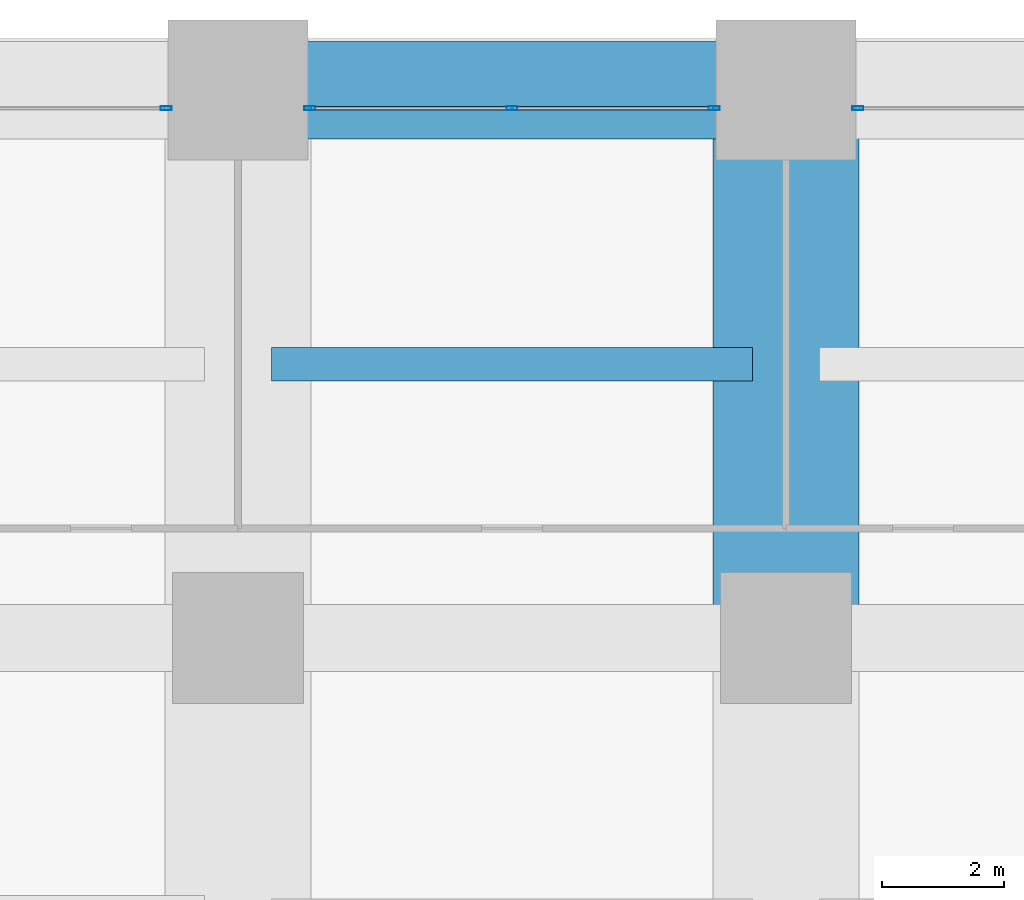
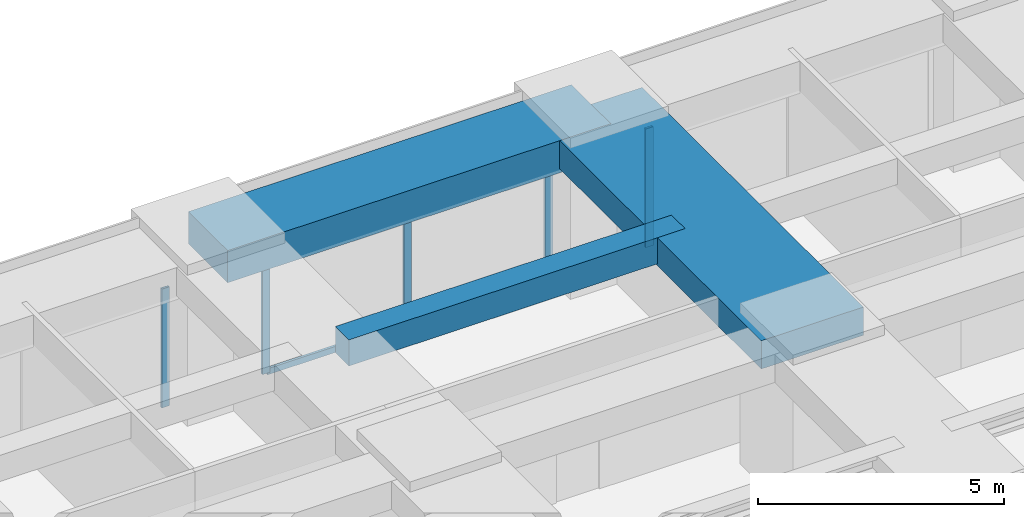
# One storey, part 29 of 43: 6 members, 3 beams, 3 elements without a shape of their own.
"""IFC4 building model written with IfcOpenShell, lengths in metres."""

import ifcopenshell
import ifcopenshell.guid

model = None  # the IFC model being written
_history = None  # IfcOwnerHistory: only IFC2X3 demands one
_inside = {}  # id of a spatial element -> (the spatial element, [elements in it])
_under = {}  # id of a project, library or spatial element -> (it, [spatial elements below it])
_declared = {}  # id of a project -> (the project, [libraries it declares])
_typed = {}  # id of a type object -> (the type object, [elements of that type])
_made_of = {}  # id of a material, layer set ... -> (it, [elements and type objects made of it])


def new_model(schema):
    """Start an empty IFC model of exactly this schema.

    Asked for "IFC4X3", IfcOpenShell would pick the latest addendum, in which some entities
    have other attributes; the version numbers below select the first issue.
    IFC2X3 requires an IfcOwnerHistory on every rooted entity: one is made here for all.
    """
    global model, _history
    if schema == "IFC4X3":
        model = ifcopenshell.file(schema_version=(4, 3, 0, 0))
    else:
        model = ifcopenshell.file(schema=schema)
    _inside.clear()
    _under.clear()
    _declared.clear()
    _typed.clear()
    _made_of.clear()
    _history = None
    if model.schema == "IFC2X3":
        org = make("IfcOrganization", Name="unknown")
        user = make(
            "IfcPersonAndOrganization",
            ThePerson=make("IfcPerson", FamilyName="unknown"),
            TheOrganization=org,
        )
        app = make(
            "IfcApplication",
            ApplicationDeveloper=org,
            Version="unknown",
            ApplicationFullName="unknown",
            ApplicationIdentifier="unknown",
        )
        _history = make(
            "IfcOwnerHistory",
            OwningUser=user,
            OwningApplication=app,
            ChangeAction="ADDED",
            CreationDate=0,
        )
    return model


def make(cls, **values):
    """One entity of the class cls with the attributes given. An attribute that is None is left unset."""
    return model.create_entity(
        cls, **{name: value for name, value in values.items() if value is not None}
    )


def rooted(cls, **values):
    """An entity with a GlobalId (a new one), such as an element, a storey or a relation."""
    return make(cls, GlobalId=ifcopenshell.guid.new(), OwnerHistory=_history, **values)


def si_unit(unit_type, name, prefix=None):
    """IfcSIUnit, for example si_unit("LENGTHUNIT", "METRE", prefix="MILLI")."""
    return make("IfcSIUnit", UnitType=unit_type, Prefix=prefix, Name=name)


def assignment(units):
    """IfcUnitAssignment: the units of a project."""
    return None if units is None else make("IfcUnitAssignment", Units=units)


def point(xyz):
    """IfcCartesianPoint."""
    return None if xyz is None else make("IfcCartesianPoint", Coordinates=xyz)


def direction(xyz):
    """IfcDirection."""
    return None if xyz is None else make("IfcDirection", DirectionRatios=xyz)


def frame(location, z_axis=None, x_axis=None):
    """IfcAxis2Placement3D, a coordinate frame: its origin and axes. An axis left out is left unset."""
    return make(
        "IfcAxis2Placement3D",
        Location=point(location),
        Axis=direction(z_axis),
        RefDirection=direction(x_axis),
    )


def frame_2d(location, x_axis=None):
    """IfcAxis2Placement2D, a coordinate frame in the plane: its origin and x axis."""
    return make(
        "IfcAxis2Placement2D", Location=point(location), RefDirection=direction(x_axis)
    )


def origin():
    """The frame at (0, 0, 0) with its axes left unset."""
    return frame((0.0, 0.0, 0.0))


def origin_2d():
    """The frame at (0, 0) in the plane with its x axis left unset."""
    return frame_2d((0.0, 0.0))


def place(relative_to, where):
    """IfcLocalPlacement: puts the frame where relative to a parent placement (None: the world)."""
    return make(
        "IfcLocalPlacement", PlacementRelTo=relative_to, RelativePlacement=where
    )


def context(
    kind, dimensions, precision=None, world=None, true_north=None, identifier=None
):
    """IfcGeometricRepresentationContext, for example the 3D "Model" context."""
    return make(
        "IfcGeometricRepresentationContext",
        ContextIdentifier=identifier,
        ContextType=kind,
        CoordinateSpaceDimension=dimensions,
        Precision=precision,
        WorldCoordinateSystem=world,
        TrueNorth=true_north,
    )


def subcontext(parent, identifier, kind, view, scale=None):
    """IfcGeometricRepresentationSubContext, for example "Body" below "Model"."""
    return make(
        "IfcGeometricRepresentationSubContext",
        ContextIdentifier=identifier,
        ContextType=kind,
        ParentContext=parent,
        TargetScale=scale,
        TargetView=view,
    )


def project(units=None, contexts=None):
    """IfcProject with its units and contexts."""
    return rooted(
        "IfcProject",
        Name="project",
        RepresentationContexts=contexts,
        UnitsInContext=assignment(units),
    )


def spatial(cls, under=None, at=None, **own):
    """A site, building, storey or space (cls), placed at a placement, below another one or the project."""
    s = rooted(cls, ObjectPlacement=at, **own)
    if under is not None:
        _under.setdefault(under.id(), (under, []))[1].append(s)
    return s


def profile(cls, at=None, kind="AREA", **sizes):
    """A parametric profile (cls). Its sizes go by their IFC names, for example OverallWidth=200.0."""
    return make(cls, ProfileType=kind, Position=at, **sizes)


def rectangle(**sizes):
    """IfcRectangleProfileDef."""
    return profile("IfcRectangleProfileDef", **sizes)


def hollow_rectangle(**sizes):
    """IfcRectangleHollowProfileDef."""
    return profile("IfcRectangleHollowProfileDef", **sizes)


def extrude(swept, where, along, depth):
    """IfcExtrudedAreaSolid: the profile swept, set in the frame where, extruded along a direction by depth."""
    return make(
        "IfcExtrudedAreaSolid",
        SweptArea=swept,
        Position=where,
        ExtrudedDirection=direction(along),
        Depth=depth,
    )


def shape(context_of_items, identifier, shape_type, items):
    """IfcShapeRepresentation: the items that make up one representation, for example the "Body"."""
    return make(
        "IfcShapeRepresentation",
        ContextOfItems=context_of_items,
        RepresentationIdentifier=identifier,
        RepresentationType=shape_type,
        Items=items,
    )


def material(Name=None, Category=None):
    """IfcMaterial."""
    return make("IfcMaterial", Name=Name, Category=Category)


def material_profile(
    of_material, cross_section, Name=None, Category=None, Priority=None
):
    """IfcMaterialProfile: a cross section and its material."""
    return make(
        "IfcMaterialProfile",
        Name=Name,
        Material=of_material,
        Profile=cross_section,
        Priority=Priority,
        Category=Category,
    )


def profile_set(profiles, Name=None, composite=None):
    """IfcMaterialProfileSet."""
    return make(
        "IfcMaterialProfileSet",
        Name=Name,
        MaterialProfiles=profiles,
        CompositeProfile=composite,
    )


def made_of(thing, what):
    """Note that an element or type object is made of a material, layer set ...; save() writes the relation."""
    if what is not None:
        _made_of.setdefault(what.id(), (what, []))[1].append(thing)
    return thing


def type_object(cls, material=None, **own):
    """A type object (cls), such as IfcWallType, which elements share."""
    return made_of(rooted(cls, **own), material)


def element(
    cls,
    number,
    at=None,
    inside=None,
    cuts=None,
    type_object=None,
    material=None,
    context=None,
    identifier="Body",
    shape_type=None,
    held_by="IfcProductDefinitionShape",
    body=None,
    shapes=None,
    **own,
):
    """One element of the class cls, such as IfcWall. Its Tag is "e" and its number.

    at: its placement. inside: the storey or other place that contains it. cuts: it is an
    opening in that element (IfcRelVoidsElement). A single representation is given by context,
    identifier, shape_type and body (its items); several are given by shapes. held_by: the class
    of the entity that holds the representations. save() writes the other relations.
    """
    e = rooted(cls, Tag="e%d" % number, ObjectPlacement=at, **own)
    if body is not None:
        shapes = [shape(context, identifier, shape_type, body)]
    if shapes is not None:
        e.Representation = make(held_by, Representations=shapes)
    if inside is not None:
        _inside.setdefault(inside.id(), (inside, []))[1].append(e)
    if cuts is not None:
        rooted(
            "IfcRelVoidsElement", RelatingBuildingElement=cuts, RelatedOpeningElement=e
        )
    if type_object is not None:
        _typed.setdefault(type_object.id(), (type_object, []))[1].append(e)
    return made_of(e, material)


def aggregate(whole, parts):
    """IfcRelAggregates: a whole, such as a stair, and the parts it consists of."""
    return rooted("IfcRelAggregates", RelatingObject=whole, RelatedObjects=parts)


def save(model, path):
    """Write the relations noted so far, then the file.

    IfcRelAggregates (storeys below a building ...), IfcRelContainedInSpatialStructure (elements
    in a storey), IfcRelDefinesByType, IfcRelAssociatesMaterial and IfcRelDeclares: one each for
    every whole, place, type object, material and project.
    """
    for whole, parts in _under.values():
        aggregate(whole, parts)
    for where, things in _inside.values():
        rooted(
            "IfcRelContainedInSpatialStructure",
            RelatedElements=things,
            RelatingStructure=where,
        )
    for kind, things in _typed.values():
        rooted("IfcRelDefinesByType", RelatedObjects=things, RelatingType=kind)
    for what, things in _made_of.values():
        rooted("IfcRelAssociatesMaterial", RelatedObjects=things, RelatingMaterial=what)
    for by, libraries in _declared.values():
        rooted("IfcRelDeclares", RelatingContext=by, RelatedDefinitions=libraries)
    model.write(path)


model = new_model("IFC4")

# Units and contexts
model_context = context("Model", 3, precision=1e-05, world=origin(), true_north=direction((0.0, 1.0)))
body_context = subcontext(model_context, "Body", "Model", "MODEL_VIEW")
ifc_project = project(units=[si_unit("LENGTHUNIT", "METRE"), si_unit("AREAUNIT", "SQUARE_METRE"), si_unit("VOLUMEUNIT", "CUBIC_METRE"), si_unit("PLANEANGLEUNIT", "RADIAN"), si_unit("MASSUNIT", "GRAM", prefix="KILO")], contexts=[model_context])

# Site, building, storey
site_placement = place(None, origin())
site = spatial("IfcSite", under=ifc_project, at=site_placement, CompositionType="ELEMENT")
building_placement = place(site_placement, origin())
building = spatial("IfcBuilding", under=site, at=building_placement, Name="Zorevar Civic Tower", CompositionType="ELEMENT")
storey_placement = place(building_placement, frame((0.0, 0.0, 67.800048828125)))
storey = spatial("IfcBuildingStorey", under=building, at=storey_placement, Name="L16", CompositionType="ELEMENT", Elevation=67.800048828125)

# Beams
ifc_material_1 = material(Name="Concrete C50/60", Category="concrete")
ifc_material_profile_1 = material_profile(ifc_material_1, rectangle(XDim=2.39990234375, YDim=0.699951171875, at=origin_2d()), Name="RC 2400x700")
ifc_profile_set_1 = profile_set([ifc_material_profile_1], Name="Concrete C50/60")
beam_type_1 = type_object("IfcBeamType", Name="Beam RC 2400x700", PredefinedType="BEAM", material=ifc_profile_set_1)
beam_1_placement = place(storey_placement, frame((27.0, 45.0, 3.39990234375), z_axis=(0.0, 1.0, 0.0), x_axis=(-1.0, 0.0, 0.0)))
element("IfcBeam", 1, at=beam_1_placement, inside=storey, type_object=beam_type_1, Name="Girder L17", PredefinedType="BEAM", context=body_context, shape_type="SweptSolid", body=[
    extrude(rectangle(XDim=2.39990234375, YDim=0.699951171875, at=origin_2d()), origin(), (0.0, 0.0, 1.0), 9.0),
])
ifc_material_2 = material(Name="Concrete C50/60", Category="concrete")
ifc_material_profile_2 = material_profile(ifc_material_2, rectangle(XDim=0.550048828125, YDim=0.64990234375, at=origin_2d()), Name="RC 550x650")
ifc_profile_set_2 = profile_set([ifc_material_profile_2], Name="Concrete C50/60")
beam_type_2 = type_object("IfcBeamType", Name="Beam RC 550x650", PredefinedType="BEAM", material=ifc_profile_set_2)
beam_2_placement = place(storey_placement, frame((18.550048828125, 49.5, 3.425048828125), z_axis=(1.0, 0.0, 0.0), x_axis=(0.0, 1.0, 0.0)))
element("IfcBeam", 2, at=beam_2_placement, inside=storey, type_object=beam_type_2, Name="Secondary beam L17", PredefinedType="BEAM", context=body_context, shape_type="SweptSolid", body=[
    extrude(rectangle(XDim=0.550048828125, YDim=0.64990234375, at=origin_2d()), origin(), (0.0, 0.0, 1.0), 7.89990234375),
])

# Curtain wall, member
ifc_material_3 = material(Name="Dark grey solar-control glass in black aluminium frame", Category="aluminium")
curtain_wall_type = type_object("IfcCurtainWallType", Name="Curtain wall CW2 low zone", PredefinedType="NOTDEFINED", material=ifc_material_3)
curtain_wall_1_placement = place(storey_placement, origin())
curtain_wall_1 = element("IfcCurtainWall", 3, at=curtain_wall_1_placement, inside=storey, type_object=curtain_wall_type, Name="CW2 L16", PredefinedType="NOTDEFINED")
ifc_material_4 = material(Name="Aluminium, black anodised", Category="aluminium")
ifc_material_profile_3 = material_profile(ifc_material_4, hollow_rectangle(XDim=0.06005859375, YDim=0.179931640625, WallThickness=0.00390625, at=origin_2d()), Name="AL 180x60x4")
ifc_profile_set_3 = profile_set([ifc_material_profile_3], Name="Aluminium, black anodised")
member_type_1 = type_object("IfcMemberType", Name="CW2 mullion AL 180x60x4", PredefinedType="MULLION", material=ifc_profile_set_3)
member_1_placement = place(storey_placement, frame((16.820068359375, 53.699951171875, 0.0), z_axis=(0.0, 0.0, 1.0), x_axis=(0.0, 1.0, 0.0)))
member_1 = element("IfcMember", 4, at=member_1_placement, type_object=member_type_1, Name="CW2 mullion 3", PredefinedType="MULLION", context=body_context, shape_type="SweptSolid", body=[
    extrude(hollow_rectangle(XDim=0.06005859375, YDim=0.179931640625, WallThickness=0.00390625, at=origin_2d()), origin(), (0.0, 0.0, 1.0), 2.949951171875),
])
aggregate(curtain_wall_1, [member_1])

# Curtain wall, members
curtain_wall_2_placement = place(storey_placement, origin())
curtain_wall_2 = element("IfcCurtainWall", 5, at=curtain_wall_2_placement, inside=storey, type_object=curtain_wall_type, Name="CW2 L16", PredefinedType="NOTDEFINED")
member_2_placement = place(storey_placement, frame((19.179931640625, 53.699951171875, 0.0), z_axis=(0.0, 0.0, 1.0), x_axis=(0.0, 1.0, 0.0)))
member_2 = element("IfcMember", 6, at=member_2_placement, type_object=member_type_1, Name="CW2 mullion 1", PredefinedType="MULLION", context=body_context, shape_type="SweptSolid", body=[
    extrude(hollow_rectangle(XDim=0.06005859375, YDim=0.179931640625, WallThickness=0.00390625, at=origin_2d()), origin(), (0.0, 0.0, 1.0), 2.949951171875),
])
member_3_placement = place(storey_placement, frame((22.5, 53.699951171875, 0.06005859375), z_axis=(0.0, 0.0, 1.0), x_axis=(0.0, 1.0, 0.0)))
member_3 = element("IfcMember", 7, at=member_3_placement, type_object=member_type_1, Name="CW2 mullion 2", PredefinedType="MULLION", context=body_context, shape_type="SweptSolid", body=[
    extrude(hollow_rectangle(XDim=0.06005859375, YDim=0.179931640625, WallThickness=0.00390625, at=origin_2d()), origin(), (0.0, 0.0, 1.0), 2.889892578125),
])
member_4_placement = place(storey_placement, frame((25.820068359375, 53.699951171875, 0.0), z_axis=(0.0, 0.0, 1.0), x_axis=(0.0, 1.0, 0.0)))
member_4 = element("IfcMember", 8, at=member_4_placement, type_object=member_type_1, Name="CW2 mullion 3", PredefinedType="MULLION", context=body_context, shape_type="SweptSolid", body=[
    extrude(hollow_rectangle(XDim=0.06005859375, YDim=0.179931640625, WallThickness=0.00390625, at=origin_2d()), origin(), (0.0, 0.0, 1.0), 2.949951171875),
])

# Curtain wall, member
curtain_wall_3_placement = place(storey_placement, origin())
curtain_wall_3 = element("IfcCurtainWall", 9, at=curtain_wall_3_placement, inside=storey, type_object=curtain_wall_type, Name="CW2 L16", PredefinedType="NOTDEFINED")
member_5_placement = place(storey_placement, frame((28.179931640625, 53.699951171875, 0.0), z_axis=(0.0, 0.0, 1.0), x_axis=(0.0, 1.0, 0.0)))
member_5 = element("IfcMember", 10, at=member_5_placement, type_object=member_type_1, Name="CW2 mullion 1", PredefinedType="MULLION", context=body_context, shape_type="SweptSolid", body=[
    extrude(hollow_rectangle(XDim=0.06005859375, YDim=0.179931640625, WallThickness=0.00390625, at=origin_2d()), origin(), (0.0, 0.0, 1.0), 2.949951171875),
])
aggregate(curtain_wall_3, [member_5])

# Member
ifc_material_5 = material(Name="Aluminium, black anodised", Category="aluminium")
ifc_material_profile_4 = material_profile(ifc_material_5, hollow_rectangle(XDim=0.06005859375, YDim=0.14990234375, WallThickness=0.00390625, at=origin_2d()), Name="AL 150x60x4")
ifc_profile_set_4 = profile_set([ifc_material_profile_4], Name="Aluminium, black anodised")
member_type_2 = type_object("IfcMemberType", Name="CW2 transom AL 150x60x4", PredefinedType="USERDEFINED", material=ifc_profile_set_4)
member_6_placement = place(storey_placement, frame((19.2099609375, 53.699951171875, 0.030029296875), z_axis=(1.0, 0.0, 0.0), x_axis=(0.0, 1.0, 0.0)))
member_6 = element("IfcMember", 11, at=member_6_placement, type_object=member_type_2, Name="CW2 sill transom", ObjectType="TRANSOM", PredefinedType="USERDEFINED", context=body_context, shape_type="SweptSolid", body=[
    extrude(hollow_rectangle(XDim=0.06005859375, YDim=0.14990234375, WallThickness=0.00390625, at=origin_2d()), origin(), (0.0, 0.0, 1.0), 6.580078125),
])

aggregate(curtain_wall_2, [member_2, member_3, member_4, member_6])

# Beam
ifc_material_6 = material(Name="Concrete C50/60", Category="concrete")
ifc_material_profile_5 = material_profile(ifc_material_6, rectangle(XDim=1.60009765625, YDim=0.800048828125, at=origin_2d()), Name="RC 1600x800")
ifc_profile_set_5 = profile_set([ifc_material_profile_5], Name="Concrete C50/60")
beam_type_3 = type_object("IfcBeamType", Name="Edge beam RC 1600x800", PredefinedType="SPANDREL", material=ifc_profile_set_5)
beam_3_placement = place(storey_placement, frame((18.0, 54.0, 3.349853515625), z_axis=(1.0, 0.0, 0.0), x_axis=(0.0, 1.0, 0.0)))
element("IfcBeam", 12, at=beam_3_placement, inside=storey, type_object=beam_type_3, Name="Edge beam L17", PredefinedType="SPANDREL", context=body_context, shape_type="SweptSolid", body=[
    extrude(rectangle(XDim=1.60009765625, YDim=0.800048828125, at=origin_2d()), origin(), (0.0, 0.0, 1.0), 9.0),
])

save(model, "model.ifc")
